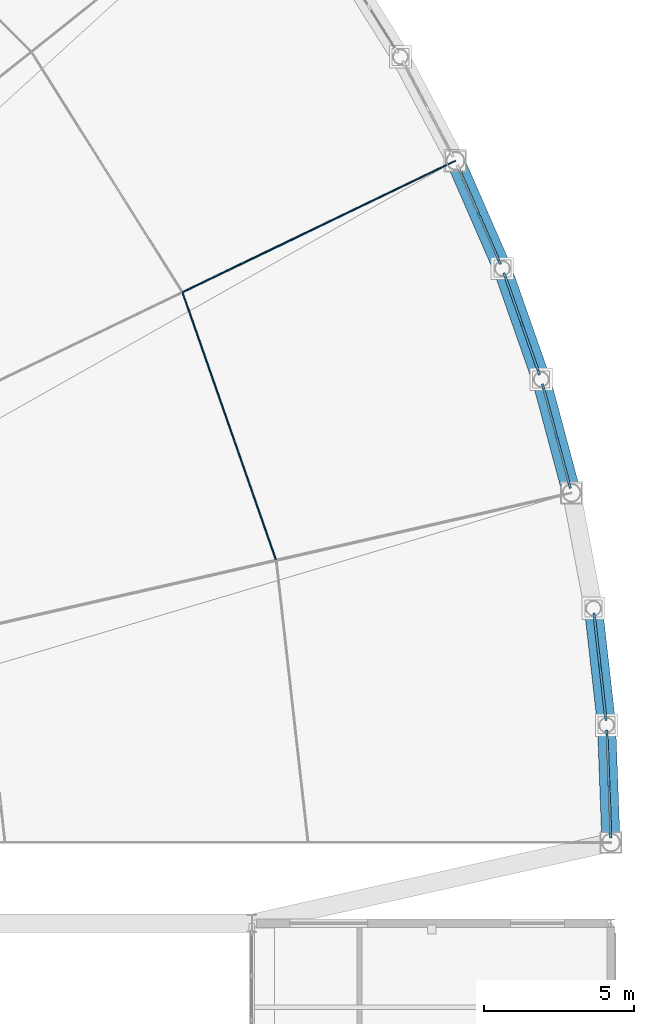
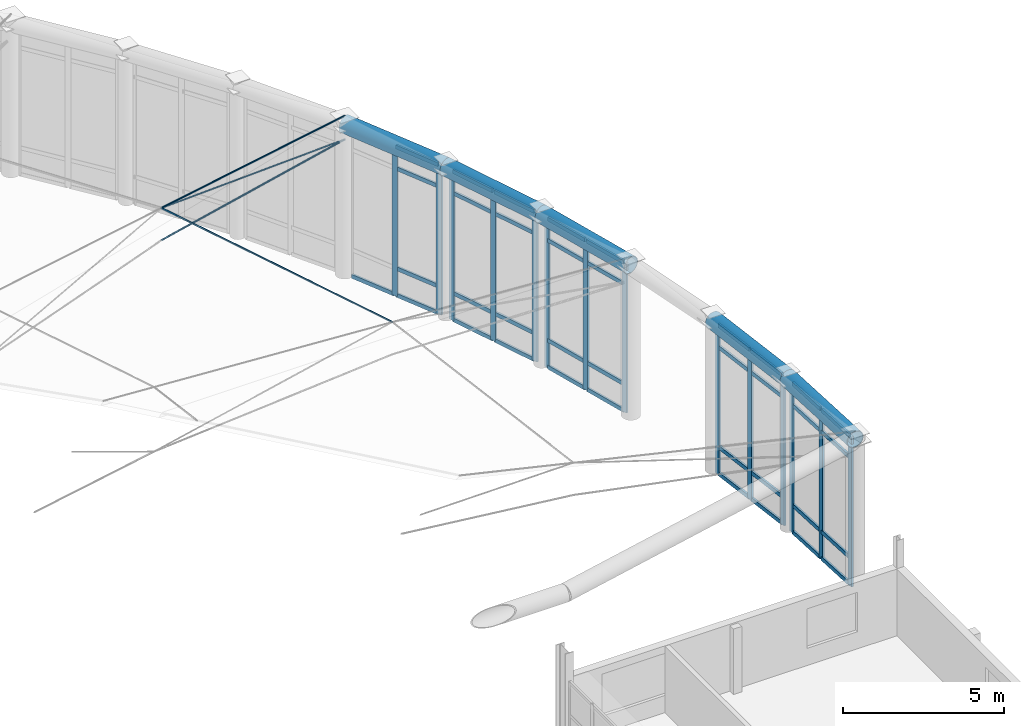
# One storey, part 57 of 101: 55 members, 5 beams, 5 elements without a shape of their own.
"""IFC4 building model written with IfcOpenShell, lengths in metres."""

import ifcopenshell
import ifcopenshell.guid

model = None  # the IFC model being written
_history = None  # IfcOwnerHistory: only IFC2X3 demands one
_inside = {}  # id of a spatial element -> (the spatial element, [elements in it])
_under = {}  # id of a project, library or spatial element -> (it, [spatial elements below it])
_declared = {}  # id of a project -> (the project, [libraries it declares])
_typed = {}  # id of a type object -> (the type object, [elements of that type])
_made_of = {}  # id of a material, layer set ... -> (it, [elements and type objects made of it])


def new_model(schema):
    """Start an empty IFC model of exactly this schema.

    Asked for "IFC4X3", IfcOpenShell would pick the latest addendum, in which some entities
    have other attributes; the version numbers below select the first issue.
    IFC2X3 requires an IfcOwnerHistory on every rooted entity: one is made here for all.
    """
    global model, _history
    if schema == "IFC4X3":
        model = ifcopenshell.file(schema_version=(4, 3, 0, 0))
    else:
        model = ifcopenshell.file(schema=schema)
    _inside.clear()
    _under.clear()
    _declared.clear()
    _typed.clear()
    _made_of.clear()
    _history = None
    if model.schema == "IFC2X3":
        org = make("IfcOrganization", Name="unknown")
        user = make(
            "IfcPersonAndOrganization",
            ThePerson=make("IfcPerson", FamilyName="unknown"),
            TheOrganization=org,
        )
        app = make(
            "IfcApplication",
            ApplicationDeveloper=org,
            Version="unknown",
            ApplicationFullName="unknown",
            ApplicationIdentifier="unknown",
        )
        _history = make(
            "IfcOwnerHistory",
            OwningUser=user,
            OwningApplication=app,
            ChangeAction="ADDED",
            CreationDate=0,
        )
    return model


def make(cls, **values):
    """One entity of the class cls with the attributes given. An attribute that is None is left unset."""
    return model.create_entity(
        cls, **{name: value for name, value in values.items() if value is not None}
    )


def rooted(cls, **values):
    """An entity with a GlobalId (a new one), such as an element, a storey or a relation."""
    return make(cls, GlobalId=ifcopenshell.guid.new(), OwnerHistory=_history, **values)


def si_unit(unit_type, name, prefix=None):
    """IfcSIUnit, for example si_unit("LENGTHUNIT", "METRE", prefix="MILLI")."""
    return make("IfcSIUnit", UnitType=unit_type, Prefix=prefix, Name=name)


def assignment(units):
    """IfcUnitAssignment: the units of a project."""
    return None if units is None else make("IfcUnitAssignment", Units=units)


def point(xyz):
    """IfcCartesianPoint."""
    return None if xyz is None else make("IfcCartesianPoint", Coordinates=xyz)


def direction(xyz):
    """IfcDirection."""
    return None if xyz is None else make("IfcDirection", DirectionRatios=xyz)


def frame(location, z_axis=None, x_axis=None):
    """IfcAxis2Placement3D, a coordinate frame: its origin and axes. An axis left out is left unset."""
    return make(
        "IfcAxis2Placement3D",
        Location=point(location),
        Axis=direction(z_axis),
        RefDirection=direction(x_axis),
    )


def frame_2d(location, x_axis=None):
    """IfcAxis2Placement2D, a coordinate frame in the plane: its origin and x axis."""
    return make(
        "IfcAxis2Placement2D", Location=point(location), RefDirection=direction(x_axis)
    )


def origin():
    """The frame at (0, 0, 0) with its axes left unset."""
    return frame((0.0, 0.0, 0.0))


def origin_2d():
    """The frame at (0, 0) in the plane with its x axis left unset."""
    return frame_2d((0.0, 0.0))


def place(relative_to, where):
    """IfcLocalPlacement: puts the frame where relative to a parent placement (None: the world)."""
    return make(
        "IfcLocalPlacement", PlacementRelTo=relative_to, RelativePlacement=where
    )


def context(
    kind, dimensions, precision=None, world=None, true_north=None, identifier=None
):
    """IfcGeometricRepresentationContext, for example the 3D "Model" context."""
    return make(
        "IfcGeometricRepresentationContext",
        ContextIdentifier=identifier,
        ContextType=kind,
        CoordinateSpaceDimension=dimensions,
        Precision=precision,
        WorldCoordinateSystem=world,
        TrueNorth=true_north,
    )


def subcontext(parent, identifier, kind, view, scale=None):
    """IfcGeometricRepresentationSubContext, for example "Body" below "Model"."""
    return make(
        "IfcGeometricRepresentationSubContext",
        ContextIdentifier=identifier,
        ContextType=kind,
        ParentContext=parent,
        TargetScale=scale,
        TargetView=view,
    )


def project(units=None, contexts=None):
    """IfcProject with its units and contexts."""
    return rooted(
        "IfcProject",
        Name="project",
        RepresentationContexts=contexts,
        UnitsInContext=assignment(units),
    )


def spatial(cls, under=None, at=None, **own):
    """A site, building, storey or space (cls), placed at a placement, below another one or the project."""
    s = rooted(cls, ObjectPlacement=at, **own)
    if under is not None:
        _under.setdefault(under.id(), (under, []))[1].append(s)
    return s


def profile(cls, at=None, kind="AREA", **sizes):
    """A parametric profile (cls). Its sizes go by their IFC names, for example OverallWidth=200.0."""
    return make(cls, ProfileType=kind, Position=at, **sizes)


def rectangle(**sizes):
    """IfcRectangleProfileDef."""
    return profile("IfcRectangleProfileDef", **sizes)


def circle(**sizes):
    """IfcCircleProfileDef."""
    return profile("IfcCircleProfileDef", **sizes)


def hollow_circle(**sizes):
    """IfcCircleHollowProfileDef."""
    return profile("IfcCircleHollowProfileDef", **sizes)


def extrude(swept, where, along, depth):
    """IfcExtrudedAreaSolid: the profile swept, set in the frame where, extruded along a direction by depth."""
    return make(
        "IfcExtrudedAreaSolid",
        SweptArea=swept,
        Position=where,
        ExtrudedDirection=direction(along),
        Depth=depth,
    )


def shape(context_of_items, identifier, shape_type, items):
    """IfcShapeRepresentation: the items that make up one representation, for example the "Body"."""
    return make(
        "IfcShapeRepresentation",
        ContextOfItems=context_of_items,
        RepresentationIdentifier=identifier,
        RepresentationType=shape_type,
        Items=items,
    )


def material(Name=None, Category=None):
    """IfcMaterial."""
    return make("IfcMaterial", Name=Name, Category=Category)


def layer(
    of_material, thickness, ventilated=None, Name=None, Category=None, Priority=None
):
    """IfcMaterialLayer: one layer of a wall or slab, of a material (None: an air gap)."""
    return make(
        "IfcMaterialLayer",
        Material=of_material,
        LayerThickness=thickness,
        IsVentilated=ventilated,
        Name=Name,
        Category=Category,
        Priority=Priority,
    )


def layer_set(layers, Name=None):
    """IfcMaterialLayerSet."""
    return make("IfcMaterialLayerSet", MaterialLayers=layers, LayerSetName=Name)


def material_profile(
    of_material, cross_section, Name=None, Category=None, Priority=None
):
    """IfcMaterialProfile: a cross section and its material."""
    return make(
        "IfcMaterialProfile",
        Name=Name,
        Material=of_material,
        Profile=cross_section,
        Priority=Priority,
        Category=Category,
    )


def profile_set(profiles, Name=None, composite=None):
    """IfcMaterialProfileSet."""
    return make(
        "IfcMaterialProfileSet",
        Name=Name,
        MaterialProfiles=profiles,
        CompositeProfile=composite,
    )


def made_of(thing, what):
    """Note that an element or type object is made of a material, layer set ...; save() writes the relation."""
    if what is not None:
        _made_of.setdefault(what.id(), (what, []))[1].append(thing)
    return thing


def type_object(cls, material=None, **own):
    """A type object (cls), such as IfcWallType, which elements share."""
    return made_of(rooted(cls, **own), material)


def element(
    cls,
    number,
    at=None,
    inside=None,
    cuts=None,
    type_object=None,
    material=None,
    context=None,
    identifier="Body",
    shape_type=None,
    held_by="IfcProductDefinitionShape",
    body=None,
    shapes=None,
    **own,
):
    """One element of the class cls, such as IfcWall. Its Tag is "e" and its number.

    at: its placement. inside: the storey or other place that contains it. cuts: it is an
    opening in that element (IfcRelVoidsElement). A single representation is given by context,
    identifier, shape_type and body (its items); several are given by shapes. held_by: the class
    of the entity that holds the representations. save() writes the other relations.
    """
    e = rooted(cls, Tag="e%d" % number, ObjectPlacement=at, **own)
    if body is not None:
        shapes = [shape(context, identifier, shape_type, body)]
    if shapes is not None:
        e.Representation = make(held_by, Representations=shapes)
    if inside is not None:
        _inside.setdefault(inside.id(), (inside, []))[1].append(e)
    if cuts is not None:
        rooted(
            "IfcRelVoidsElement", RelatingBuildingElement=cuts, RelatedOpeningElement=e
        )
    if type_object is not None:
        _typed.setdefault(type_object.id(), (type_object, []))[1].append(e)
    return made_of(e, material)


def aggregate(whole, parts):
    """IfcRelAggregates: a whole, such as a stair, and the parts it consists of."""
    return rooted("IfcRelAggregates", RelatingObject=whole, RelatedObjects=parts)


def save(model, path):
    """Write the relations noted so far, then the file.

    IfcRelAggregates (storeys below a building ...), IfcRelContainedInSpatialStructure (elements
    in a storey), IfcRelDefinesByType, IfcRelAssociatesMaterial and IfcRelDeclares: one each for
    every whole, place, type object, material and project.
    """
    for whole, parts in _under.values():
        aggregate(whole, parts)
    for where, things in _inside.values():
        rooted(
            "IfcRelContainedInSpatialStructure",
            RelatedElements=things,
            RelatingStructure=where,
        )
    for kind, things in _typed.values():
        rooted("IfcRelDefinesByType", RelatedObjects=things, RelatingType=kind)
    for what, things in _made_of.values():
        rooted("IfcRelAssociatesMaterial", RelatedObjects=things, RelatingMaterial=what)
    for by, libraries in _declared.values():
        rooted("IfcRelDeclares", RelatingContext=by, RelatedDefinitions=libraries)
    model.write(path)


model = new_model("IFC4")

# Units and contexts
model_context = context("Model", 3, precision=1e-05, world=origin(), true_north=direction((0.0, 1.0)))
body_context = subcontext(model_context, "Body", "Model", "MODEL_VIEW")
ifc_project = project(units=[si_unit("LENGTHUNIT", "METRE"), si_unit("AREAUNIT", "SQUARE_METRE"), si_unit("VOLUMEUNIT", "CUBIC_METRE"), si_unit("PLANEANGLEUNIT", "RADIAN"), si_unit("MASSUNIT", "GRAM", prefix="KILO"), si_unit("THERMODYNAMICTEMPERATUREUNIT", "KELVIN"), si_unit("POWERUNIT", "WATT")], contexts=[model_context])

# Site, building, storey
site_placement = place(None, origin())
site = spatial("IfcSite", under=ifc_project, at=site_placement, CompositionType="ELEMENT")
building_placement = place(site_placement, origin())
building = spatial("IfcBuilding", under=site, at=building_placement, Name="Tembeka Court Mobility Hub", CompositionType="ELEMENT")
storey_placement = place(building_placement, frame((0.0, 0.0, 5.39990234375)))
storey = spatial("IfcBuildingStorey", under=building, at=storey_placement, Name="L01", CompositionType="ELEMENT", Elevation=5.39990234375)

# Beams
ifc_material_1 = material(Name="Steel S355", Category="steel")
ifc_material_profile_1 = material_profile(ifc_material_1, hollow_circle(Radius=0.304931640625, WallThickness=0.02001953125, at=origin_2d()), Name="CHS 610x20")
ifc_profile_set_1 = profile_set([ifc_material_profile_1], Name="Steel S355")
beam_type = type_object("IfcBeamType", Name="BM-RB01", PredefinedType="BEAM", material=ifc_profile_set_1)
for number, where, z_axis, x_axis, name in (
    (1, (176.39990234375, 66.300048828125, 5.695068359375), (-0.037372752843, 0.999301394648, 0.0), (-0.999301394648, -0.037372752843, 0.0), "Concourse compression ring beam RB01-01"),
    (2, (176.253173828125, 70.223388671875, 5.695068359375), (-0.111932939479, 0.993715762711, 0.0), (-0.993715762711, -0.111932939479, 0.0), "Concourse compression ring beam RB01-02"),
    (3, (175.083740234375, 77.982421875, 5.695068359375), (-0.258815865265, 0.965926678318, 0.0), (-0.965926678318, -0.258815865265, 0.0), "Concourse compression ring beam RB01-04"),
    (4, (174.067626953125, 81.774658203125, 5.695068359375), (-0.330259016911, 0.943890344134, 0.0), (-0.943890344134, -0.330259016911, 0.0), "Concourse compression ring beam RB01-05"),
    (5, (172.77099609375, 85.48046875, 5.695068359375), (-0.39991501224, 0.916552226, 0.0), (-0.916552226, -0.39991501224, 0.0), "Concourse compression ring beam RB01-06"),
):
    element("IfcBeam", number, at=place(storey_placement, frame(where, z_axis=z_axis, x_axis=x_axis)), inside=storey, type_object=beam_type, Name=name, PredefinedType="BEAM", context=body_context, shape_type="SweptSolid", body=[
        extrude(hollow_circle(Radius=0.304931640625, WallThickness=0.02001953125, at=origin_2d()), origin(), (0.0, 0.0, 1.0), 3.926025390625),
    ])

# Curtain wall, members
ifc_material_2 = material(Name="Anodised aluminium 6063-T6", Category="aluminium")
ifc_layer = layer(ifc_material_2, 0.199951171875)
ifc_layer_set = layer_set([ifc_layer], Name="Anodised aluminium 6063-T6")
curtain_wall_type = type_object("IfcCurtainWallType", Name="CW-SYS25", PredefinedType="USERDEFINED", material=ifc_layer_set)
curtain_wall_1_placement = place(storey_placement, origin())
curtain_wall_1 = element("IfcCurtainWall", 6, at=curtain_wall_1_placement, inside=storey, type_object=curtain_wall_type, Name="Unitised curtain wall CW25 (CW-L01-046)", ObjectType="UNITISED GLAZING", PredefinedType="USERDEFINED")
ifc_material_profile_2 = material_profile(ifc_material_2, rectangle(XDim=0.074951171875, YDim=0.199951171875, at=origin_2d()), Name="ALU-MUL 75x200")
ifc_profile_set_2 = profile_set([ifc_material_profile_2], Name="Anodised aluminium 6063-T6")
member_type_1 = type_object("IfcMemberType", Name="CW-MUL02", PredefinedType="MULLION", material=ifc_profile_set_2)
member_1_placement = place(storey_placement, frame((176.390380859375, 66.557373046875, 0.0), z_axis=(0.0, 0.0, 1.0), x_axis=(-0.999300177968, -0.037405271186, 0.0)))
member_1 = element("IfcMember", 7, at=member_1_placement, type_object=member_type_1, Name="CW25 mullion 1", PredefinedType="MULLION", context=body_context, shape_type="SweptSolid", body=[
    extrude(rectangle(XDim=0.074951171875, YDim=0.199951171875, at=origin_2d()), origin(), (0.0, 0.0, 1.0), 5.7001953125),
])
member_2_placement = place(storey_placement, frame((176.32666015625, 68.26171875, 0.0), z_axis=(0.0, 0.0, 1.0), x_axis=(-0.999300177968, -0.037405271186, 0.0)))
member_2 = element("IfcMember", 8, at=member_2_placement, type_object=member_type_1, Name="CW25 mullion 2", PredefinedType="MULLION", context=body_context, shape_type="SweptSolid", body=[
    extrude(rectangle(XDim=0.074951171875, YDim=0.199951171875, at=origin_2d()), origin(), (0.0, 0.0, 1.0), 5.7001953125),
])
member_3_placement = place(storey_placement, frame((176.2626953125, 69.966064453125, 0.0), z_axis=(0.0, 0.0, 1.0), x_axis=(-0.999300177968, -0.037405271186, 0.0)))
member_3 = element("IfcMember", 9, at=member_3_placement, type_object=member_type_1, Name="CW25 mullion 3", PredefinedType="MULLION", context=body_context, shape_type="SweptSolid", body=[
    extrude(rectangle(XDim=0.074951171875, YDim=0.199951171875, at=origin_2d()), origin(), (0.0, 0.0, 1.0), 5.7001953125),
])

curtain_wall_2_placement = place(storey_placement, origin())
curtain_wall_2 = element("IfcCurtainWall", 10, at=curtain_wall_2_placement, inside=storey, type_object=curtain_wall_type, Name="Unitised curtain wall CW25 (CW-L01-048)", ObjectType="UNITISED GLAZING", PredefinedType="USERDEFINED")
member_4_placement = place(storey_placement, frame((176.224365234375, 70.479248046875, 0.0), z_axis=(0.0, 0.0, 1.0), x_axis=(-0.993709707443, -0.111986683735, 0.0)))
member_4 = element("IfcMember", 11, at=member_4_placement, type_object=member_type_1, Name="CW25 mullion 1", PredefinedType="MULLION", context=body_context, shape_type="SweptSolid", body=[
    extrude(rectangle(XDim=0.074951171875, YDim=0.199951171875, at=origin_2d()), origin(), (0.0, 0.0, 1.0), 5.7001953125),
])
member_5_placement = place(storey_placement, frame((176.033447265625, 72.174072265625, 0.0), z_axis=(0.0, 0.0, 1.0), x_axis=(-0.993709707443, -0.111986683735, 0.0)))
member_5 = element("IfcMember", 12, at=member_5_placement, type_object=member_type_1, Name="CW25 mullion 2", PredefinedType="MULLION", context=body_context, shape_type="SweptSolid", body=[
    extrude(rectangle(XDim=0.074951171875, YDim=0.199951171875, at=origin_2d()), origin(), (0.0, 0.0, 1.0), 5.7001953125),
])
member_6_placement = place(storey_placement, frame((175.84228515625, 73.868896484375, 0.0), z_axis=(0.0, 0.0, 1.0), x_axis=(-0.993709707443, -0.111986683735, 0.0)))
member_6 = element("IfcMember", 13, at=member_6_placement, type_object=member_type_1, Name="CW25 mullion 3", PredefinedType="MULLION", context=body_context, shape_type="SweptSolid", body=[
    extrude(rectangle(XDim=0.074951171875, YDim=0.199951171875, at=origin_2d()), origin(), (0.0, 0.0, 1.0), 5.7001953125),
])

curtain_wall_3_placement = place(storey_placement, origin())
curtain_wall_3 = element("IfcCurtainWall", 14, at=curtain_wall_3_placement, inside=storey, type_object=curtain_wall_type, Name="Unitised curtain wall CW25 (CW-L01-050)", ObjectType="UNITISED GLAZING", PredefinedType="USERDEFINED")
member_7_placement = place(storey_placement, frame((175.01708984375, 78.23095703125, 0.0), z_axis=(0.0, 0.0, 1.0), x_axis=(-0.96592333891, -0.258828327951, 0.0)))
member_7 = element("IfcMember", 15, at=member_7_placement, type_object=member_type_1, Name="CW25 mullion 1", PredefinedType="MULLION", context=body_context, shape_type="SweptSolid", body=[
    extrude(rectangle(XDim=0.074951171875, YDim=0.199951171875, at=origin_2d()), origin(), (0.0, 0.0, 1.0), 5.7001953125),
])
member_8_placement = place(storey_placement, frame((174.57568359375, 79.87841796875, 0.0), z_axis=(0.0, 0.0, 1.0), x_axis=(-0.96592333891, -0.258828327951, 0.0)))
member_8 = element("IfcMember", 16, at=member_8_placement, type_object=member_type_1, Name="CW25 mullion 2", PredefinedType="MULLION", context=body_context, shape_type="SweptSolid", body=[
    extrude(rectangle(XDim=0.074951171875, YDim=0.199951171875, at=origin_2d()), origin(), (0.0, 0.0, 1.0), 5.7001953125),
])
member_9_placement = place(storey_placement, frame((174.13427734375, 81.52587890625, 0.0), z_axis=(0.0, 0.0, 1.0), x_axis=(-0.96592333891, -0.258828327951, 0.0)))
member_9 = element("IfcMember", 17, at=member_9_placement, type_object=member_type_1, Name="CW25 mullion 3", PredefinedType="MULLION", context=body_context, shape_type="SweptSolid", body=[
    extrude(rectangle(XDim=0.074951171875, YDim=0.199951171875, at=origin_2d()), origin(), (0.0, 0.0, 1.0), 5.7001953125),
])

curtain_wall_4_placement = place(storey_placement, origin())
curtain_wall_4 = element("IfcCurtainWall", 18, at=curtain_wall_4_placement, inside=storey, type_object=curtain_wall_type, Name="Unitised curtain wall CW25 (CW-L01-052)", ObjectType="UNITISED GLAZING", PredefinedType="USERDEFINED")
member_10_placement = place(storey_placement, frame((173.982421875, 82.017578125, 0.0), z_axis=(0.0, 0.0, 1.0), x_axis=(-0.943888763508, -0.330263534352, 0.0)))
member_10 = element("IfcMember", 19, at=member_10_placement, type_object=member_type_1, Name="CW25 mullion 1", PredefinedType="MULLION", context=body_context, shape_type="SweptSolid", body=[
    extrude(rectangle(XDim=0.074951171875, YDim=0.199951171875, at=origin_2d()), origin(), (0.0, 0.0, 1.0), 5.7001953125),
])
member_11_placement = place(storey_placement, frame((173.419189453125, 83.62744140625, 0.0), z_axis=(0.0, 0.0, 1.0), x_axis=(-0.943888763508, -0.330263534352, 0.0)))
member_11 = element("IfcMember", 20, at=member_11_placement, type_object=member_type_1, Name="CW25 mullion 2", PredefinedType="MULLION", context=body_context, shape_type="SweptSolid", body=[
    extrude(rectangle(XDim=0.074951171875, YDim=0.199951171875, at=origin_2d()), origin(), (0.0, 0.0, 1.0), 5.7001953125),
])
member_12_placement = place(storey_placement, frame((172.85595703125, 85.2373046875, 0.0), z_axis=(0.0, 0.0, 1.0), x_axis=(-0.943888763508, -0.330263534352, 0.0)))
member_12 = element("IfcMember", 21, at=member_12_placement, type_object=member_type_1, Name="CW25 mullion 3", PredefinedType="MULLION", context=body_context, shape_type="SweptSolid", body=[
    extrude(rectangle(XDim=0.074951171875, YDim=0.199951171875, at=origin_2d()), origin(), (0.0, 0.0, 1.0), 5.7001953125),
])

curtain_wall_5_placement = place(storey_placement, origin())
curtain_wall_5 = element("IfcCurtainWall", 22, at=curtain_wall_5_placement, inside=storey, type_object=curtain_wall_type, Name="Unitised curtain wall CW25 (CW-L01-054)", ObjectType="UNITISED GLAZING", PredefinedType="USERDEFINED")
member_13_placement = place(storey_placement, frame((172.66796875, 85.71630859375, 0.0), z_axis=(0.0, 0.0, 1.0), x_axis=(-0.916572258286, -0.399869097757, 0.0)))
member_13 = element("IfcMember", 23, at=member_13_placement, type_object=member_type_1, Name="CW25 mullion 1", PredefinedType="MULLION", context=body_context, shape_type="SweptSolid", body=[
    extrude(rectangle(XDim=0.074951171875, YDim=0.199951171875, at=origin_2d()), origin(), (0.0, 0.0, 1.0), 5.7001953125),
])
member_14_placement = place(storey_placement, frame((171.98583984375, 87.279541015625, 0.0), z_axis=(0.0, 0.0, 1.0), x_axis=(-0.916572258286, -0.399869097757, 0.0)))
member_14 = element("IfcMember", 24, at=member_14_placement, type_object=member_type_1, Name="CW25 mullion 2", PredefinedType="MULLION", context=body_context, shape_type="SweptSolid", body=[
    extrude(rectangle(XDim=0.074951171875, YDim=0.199951171875, at=origin_2d()), origin(), (0.0, 0.0, 1.0), 5.7001953125),
])

# Member
ifc_material_profile_3 = material_profile(ifc_material_2, rectangle(XDim=0.074951171875, YDim=0.14990234375, at=origin_2d()), Name="ALU-TRN 75x150")
ifc_profile_set_3 = profile_set([ifc_material_profile_3], Name="Anodised aluminium 6063-T6")
member_type_2 = type_object("IfcMemberType", Name="CW-TRN02", PredefinedType="USERDEFINED", material=ifc_profile_set_3)
member_15_placement = place(storey_placement, frame((176.388916015625, 66.5947265625, 0.03759765625), z_axis=(-0.037432542583, 0.999299156787, 0.0), x_axis=(-0.999299156787, -0.037432542583, 0.0)))
member_15 = element("IfcMember", 25, at=member_15_placement, type_object=member_type_2, Name="CW25 transom 1.1", ObjectType="TRANSOM", PredefinedType="USERDEFINED", context=body_context, shape_type="SweptSolid", body=[
    extrude(rectangle(XDim=0.074951171875, YDim=0.14990234375, at=origin_2d()), origin(), (0.0, 0.0, 1.0), 1.630615234375),
])

member_16_placement = place(storey_placement, frame((176.388916015625, 66.5947265625, 1.050048828125), z_axis=(-0.037432542583, 0.999299156787, 0.0), x_axis=(-0.999299156787, -0.037432542583, 0.0)))
member_16 = element("IfcMember", 26, at=member_16_placement, type_object=member_type_2, Name="CW25 transom 1.2", ObjectType="TRANSOM", PredefinedType="USERDEFINED", context=body_context, shape_type="SweptSolid", body=[
    extrude(rectangle(XDim=0.074951171875, YDim=0.14990234375, at=origin_2d()), origin(), (0.0, 0.0, 1.0), 1.630615234375),
])

member_17_placement = place(storey_placement, frame((176.388916015625, 66.5947265625, 4.85009765625), z_axis=(-0.037432542583, 0.999299156787, 0.0), x_axis=(-0.999299156787, -0.037432542583, 0.0)))
member_17 = element("IfcMember", 27, at=member_17_placement, type_object=member_type_2, Name="CW25 transom 1.3", ObjectType="TRANSOM", PredefinedType="USERDEFINED", context=body_context, shape_type="SweptSolid", body=[
    extrude(rectangle(XDim=0.074951171875, YDim=0.14990234375, at=origin_2d()), origin(), (0.0, 0.0, 1.0), 1.630615234375),
])

member_18_placement = place(storey_placement, frame((176.388916015625, 66.5947265625, 5.66259765625), z_axis=(-0.037432542583, 0.999299156787, 0.0), x_axis=(-0.999299156787, -0.037432542583, 0.0)))
member_18 = element("IfcMember", 28, at=member_18_placement, type_object=member_type_2, Name="CW25 transom 1.4", ObjectType="TRANSOM", PredefinedType="USERDEFINED", context=body_context, shape_type="SweptSolid", body=[
    extrude(rectangle(XDim=0.074951171875, YDim=0.14990234375, at=origin_2d()), origin(), (0.0, 0.0, 1.0), 1.630615234375),
])

member_19_placement = place(storey_placement, frame((176.3251953125, 68.299072265625, 0.03759765625), z_axis=(-0.037432542583, 0.999299156787, 0.0), x_axis=(-0.999299156787, -0.037432542583, 0.0)))
member_19 = element("IfcMember", 29, at=member_19_placement, type_object=member_type_2, Name="CW25 transom 2.1", ObjectType="TRANSOM", PredefinedType="USERDEFINED", context=body_context, shape_type="SweptSolid", body=[
    extrude(rectangle(XDim=0.074951171875, YDim=0.14990234375, at=origin_2d()), origin(), (0.0, 0.0, 1.0), 1.630615234375),
])

member_20_placement = place(storey_placement, frame((176.3251953125, 68.299072265625, 1.050048828125), z_axis=(-0.037432542583, 0.999299156787, 0.0), x_axis=(-0.999299156787, -0.037432542583, 0.0)))
member_20 = element("IfcMember", 30, at=member_20_placement, type_object=member_type_2, Name="CW25 transom 2.2", ObjectType="TRANSOM", PredefinedType="USERDEFINED", context=body_context, shape_type="SweptSolid", body=[
    extrude(rectangle(XDim=0.074951171875, YDim=0.14990234375, at=origin_2d()), origin(), (0.0, 0.0, 1.0), 1.630615234375),
])

member_21_placement = place(storey_placement, frame((176.3251953125, 68.299072265625, 4.85009765625), z_axis=(-0.037432542583, 0.999299156787, 0.0), x_axis=(-0.999299156787, -0.037432542583, 0.0)))
member_21 = element("IfcMember", 31, at=member_21_placement, type_object=member_type_2, Name="CW25 transom 2.3", ObjectType="TRANSOM", PredefinedType="USERDEFINED", context=body_context, shape_type="SweptSolid", body=[
    extrude(rectangle(XDim=0.074951171875, YDim=0.14990234375, at=origin_2d()), origin(), (0.0, 0.0, 1.0), 1.630615234375),
])

member_22_placement = place(storey_placement, frame((176.3251953125, 68.299072265625, 5.66259765625), z_axis=(-0.037432542583, 0.999299156787, 0.0), x_axis=(-0.999299156787, -0.037432542583, 0.0)))
member_22 = element("IfcMember", 32, at=member_22_placement, type_object=member_type_2, Name="CW25 transom 2.4", ObjectType="TRANSOM", PredefinedType="USERDEFINED", context=body_context, shape_type="SweptSolid", body=[
    extrude(rectangle(XDim=0.074951171875, YDim=0.14990234375, at=origin_2d()), origin(), (0.0, 0.0, 1.0), 1.630615234375),
])

aggregate(curtain_wall_1, [member_1, member_2, member_3, member_15, member_16, member_17, member_18, member_19, member_20, member_21, member_22])

member_23_placement = place(storey_placement, frame((176.22021484375, 70.516357421875, 0.03759765625), z_axis=(-0.111992522074, 0.99370904947, 0.0), x_axis=(-0.99370904947, -0.111992522074, 0.0)))
member_23 = element("IfcMember", 33, at=member_23_placement, type_object=member_type_2, Name="CW25 transom 1.1", ObjectType="TRANSOM", PredefinedType="USERDEFINED", context=body_context, shape_type="SweptSolid", body=[
    extrude(rectangle(XDim=0.074951171875, YDim=0.14990234375, at=origin_2d()), origin(), (0.0, 0.0, 1.0), 1.630615234375),
])

member_24_placement = place(storey_placement, frame((176.22021484375, 70.516357421875, 1.050048828125), z_axis=(-0.111992522074, 0.99370904947, 0.0), x_axis=(-0.99370904947, -0.111992522074, 0.0)))
member_24 = element("IfcMember", 34, at=member_24_placement, type_object=member_type_2, Name="CW25 transom 1.2", ObjectType="TRANSOM", PredefinedType="USERDEFINED", context=body_context, shape_type="SweptSolid", body=[
    extrude(rectangle(XDim=0.074951171875, YDim=0.14990234375, at=origin_2d()), origin(), (0.0, 0.0, 1.0), 1.630615234375),
])

member_25_placement = place(storey_placement, frame((176.22021484375, 70.516357421875, 4.85009765625), z_axis=(-0.111992522074, 0.99370904947, 0.0), x_axis=(-0.99370904947, -0.111992522074, 0.0)))
member_25 = element("IfcMember", 35, at=member_25_placement, type_object=member_type_2, Name="CW25 transom 1.3", ObjectType="TRANSOM", PredefinedType="USERDEFINED", context=body_context, shape_type="SweptSolid", body=[
    extrude(rectangle(XDim=0.074951171875, YDim=0.14990234375, at=origin_2d()), origin(), (0.0, 0.0, 1.0), 1.630615234375),
])

member_26_placement = place(storey_placement, frame((176.22021484375, 70.516357421875, 5.66259765625), z_axis=(-0.111992522074, 0.99370904947, 0.0), x_axis=(-0.99370904947, -0.111992522074, 0.0)))
member_26 = element("IfcMember", 36, at=member_26_placement, type_object=member_type_2, Name="CW25 transom 1.4", ObjectType="TRANSOM", PredefinedType="USERDEFINED", context=body_context, shape_type="SweptSolid", body=[
    extrude(rectangle(XDim=0.074951171875, YDim=0.14990234375, at=origin_2d()), origin(), (0.0, 0.0, 1.0), 1.630615234375),
])

member_27_placement = place(storey_placement, frame((176.029296875, 72.211181640625, 0.03759765625), z_axis=(-0.111992522074, 0.99370904947, 0.0), x_axis=(-0.99370904947, -0.111992522074, 0.0)))
member_27 = element("IfcMember", 37, at=member_27_placement, type_object=member_type_2, Name="CW25 transom 2.1", ObjectType="TRANSOM", PredefinedType="USERDEFINED", context=body_context, shape_type="SweptSolid", body=[
    extrude(rectangle(XDim=0.074951171875, YDim=0.14990234375, at=origin_2d()), origin(), (0.0, 0.0, 1.0), 1.630615234375),
])

member_28_placement = place(storey_placement, frame((176.029296875, 72.211181640625, 1.050048828125), z_axis=(-0.111992522074, 0.99370904947, 0.0), x_axis=(-0.99370904947, -0.111992522074, 0.0)))
member_28 = element("IfcMember", 38, at=member_28_placement, type_object=member_type_2, Name="CW25 transom 2.2", ObjectType="TRANSOM", PredefinedType="USERDEFINED", context=body_context, shape_type="SweptSolid", body=[
    extrude(rectangle(XDim=0.074951171875, YDim=0.14990234375, at=origin_2d()), origin(), (0.0, 0.0, 1.0), 1.630615234375),
])

member_29_placement = place(storey_placement, frame((176.029296875, 72.211181640625, 4.85009765625), z_axis=(-0.111992522074, 0.99370904947, 0.0), x_axis=(-0.99370904947, -0.111992522074, 0.0)))
member_29 = element("IfcMember", 39, at=member_29_placement, type_object=member_type_2, Name="CW25 transom 2.3", ObjectType="TRANSOM", PredefinedType="USERDEFINED", context=body_context, shape_type="SweptSolid", body=[
    extrude(rectangle(XDim=0.074951171875, YDim=0.14990234375, at=origin_2d()), origin(), (0.0, 0.0, 1.0), 1.630615234375),
])

member_30_placement = place(storey_placement, frame((176.029296875, 72.211181640625, 5.66259765625), z_axis=(-0.111992522074, 0.99370904947, 0.0), x_axis=(-0.99370904947, -0.111992522074, 0.0)))
member_30 = element("IfcMember", 40, at=member_30_placement, type_object=member_type_2, Name="CW25 transom 2.4", ObjectType="TRANSOM", PredefinedType="USERDEFINED", context=body_context, shape_type="SweptSolid", body=[
    extrude(rectangle(XDim=0.074951171875, YDim=0.14990234375, at=origin_2d()), origin(), (0.0, 0.0, 1.0), 1.630615234375),
])

aggregate(curtain_wall_2, [member_4, member_5, member_6, member_23, member_24, member_25, member_26, member_27, member_28, member_29, member_30])

member_31_placement = place(storey_placement, frame((175.00732421875, 78.267333984375, 0.03759765625), z_axis=(-0.258743569782, 0.96594604668, 0.0), x_axis=(-0.96594604668, -0.258743569782, 0.0)))
member_31 = element("IfcMember", 41, at=member_31_placement, type_object=member_type_2, Name="CW25 transom 1.1", ObjectType="TRANSOM", PredefinedType="USERDEFINED", context=body_context, shape_type="SweptSolid", body=[
    extrude(rectangle(XDim=0.074951171875, YDim=0.14990234375, at=origin_2d()), origin(), (0.0, 0.0, 1.0), 1.63037109375),
])

member_32_placement = place(storey_placement, frame((175.00732421875, 78.267333984375, 1.050048828125), z_axis=(-0.258743569782, 0.96594604668, 0.0), x_axis=(-0.96594604668, -0.258743569782, 0.0)))
member_32 = element("IfcMember", 42, at=member_32_placement, type_object=member_type_2, Name="CW25 transom 1.2", ObjectType="TRANSOM", PredefinedType="USERDEFINED", context=body_context, shape_type="SweptSolid", body=[
    extrude(rectangle(XDim=0.074951171875, YDim=0.14990234375, at=origin_2d()), origin(), (0.0, 0.0, 1.0), 1.63037109375),
])

member_33_placement = place(storey_placement, frame((175.00732421875, 78.267333984375, 4.85009765625), z_axis=(-0.258743569782, 0.96594604668, 0.0), x_axis=(-0.96594604668, -0.258743569782, 0.0)))
member_33 = element("IfcMember", 43, at=member_33_placement, type_object=member_type_2, Name="CW25 transom 1.3", ObjectType="TRANSOM", PredefinedType="USERDEFINED", context=body_context, shape_type="SweptSolid", body=[
    extrude(rectangle(XDim=0.074951171875, YDim=0.14990234375, at=origin_2d()), origin(), (0.0, 0.0, 1.0), 1.63037109375),
])

member_34_placement = place(storey_placement, frame((175.00732421875, 78.267333984375, 5.66259765625), z_axis=(-0.258743569782, 0.96594604668, 0.0), x_axis=(-0.96594604668, -0.258743569782, 0.0)))
member_34 = element("IfcMember", 44, at=member_34_placement, type_object=member_type_2, Name="CW25 transom 1.4", ObjectType="TRANSOM", PredefinedType="USERDEFINED", context=body_context, shape_type="SweptSolid", body=[
    extrude(rectangle(XDim=0.074951171875, YDim=0.14990234375, at=origin_2d()), origin(), (0.0, 0.0, 1.0), 1.63037109375),
])

member_35_placement = place(storey_placement, frame((174.56591796875, 79.91455078125, 0.03759765625), z_axis=(-0.258845837055, 0.965918647009, 0.0), x_axis=(-0.965918647009, -0.258845837055, 0.0)))
member_35 = element("IfcMember", 45, at=member_35_placement, type_object=member_type_2, Name="CW25 transom 2.1", ObjectType="TRANSOM", PredefinedType="USERDEFINED", context=body_context, shape_type="SweptSolid", body=[
    extrude(rectangle(XDim=0.074951171875, YDim=0.14990234375, at=origin_2d()), origin(), (0.0, 0.0, 1.0), 1.630859375),
])

member_36_placement = place(storey_placement, frame((174.56591796875, 79.91455078125, 1.050048828125), z_axis=(-0.258845837055, 0.965918647009, 0.0), x_axis=(-0.965918647009, -0.258845837055, 0.0)))
member_36 = element("IfcMember", 46, at=member_36_placement, type_object=member_type_2, Name="CW25 transom 2.2", ObjectType="TRANSOM", PredefinedType="USERDEFINED", context=body_context, shape_type="SweptSolid", body=[
    extrude(rectangle(XDim=0.074951171875, YDim=0.14990234375, at=origin_2d()), origin(), (0.0, 0.0, 1.0), 1.630859375),
])

member_37_placement = place(storey_placement, frame((174.56591796875, 79.91455078125, 4.85009765625), z_axis=(-0.258845837055, 0.965918647009, 0.0), x_axis=(-0.965918647009, -0.258845837055, 0.0)))
member_37 = element("IfcMember", 47, at=member_37_placement, type_object=member_type_2, Name="CW25 transom 2.3", ObjectType="TRANSOM", PredefinedType="USERDEFINED", context=body_context, shape_type="SweptSolid", body=[
    extrude(rectangle(XDim=0.074951171875, YDim=0.14990234375, at=origin_2d()), origin(), (0.0, 0.0, 1.0), 1.630859375),
])

member_38_placement = place(storey_placement, frame((174.56591796875, 79.91455078125, 5.66259765625), z_axis=(-0.258845837055, 0.965918647009, 0.0), x_axis=(-0.965918647009, -0.258845837055, 0.0)))
member_38 = element("IfcMember", 48, at=member_38_placement, type_object=member_type_2, Name="CW25 transom 2.4", ObjectType="TRANSOM", PredefinedType="USERDEFINED", context=body_context, shape_type="SweptSolid", body=[
    extrude(rectangle(XDim=0.074951171875, YDim=0.14990234375, at=origin_2d()), origin(), (0.0, 0.0, 1.0), 1.630859375),
])

aggregate(curtain_wall_3, [member_7, member_8, member_9, member_31, member_32, member_33, member_34, member_35, member_36, member_37, member_38])

member_39_placement = place(storey_placement, frame((173.97021484375, 82.052978515625, 0.03759765625), z_axis=(-0.330297069479, 0.94387702901, 0.0), x_axis=(-0.94387702901, -0.330297069479, 0.0)))
member_39 = element("IfcMember", 49, at=member_39_placement, type_object=member_type_2, Name="CW25 transom 1.1", ObjectType="TRANSOM", PredefinedType="USERDEFINED", context=body_context, shape_type="SweptSolid", body=[
    extrude(rectangle(XDim=0.074951171875, YDim=0.14990234375, at=origin_2d()), origin(), (0.0, 0.0, 1.0), 1.630615234375),
])

member_40_placement = place(storey_placement, frame((173.97021484375, 82.052978515625, 1.050048828125), z_axis=(-0.330297069479, 0.94387702901, 0.0), x_axis=(-0.94387702901, -0.330297069479, 0.0)))
member_40 = element("IfcMember", 50, at=member_40_placement, type_object=member_type_2, Name="CW25 transom 1.2", ObjectType="TRANSOM", PredefinedType="USERDEFINED", context=body_context, shape_type="SweptSolid", body=[
    extrude(rectangle(XDim=0.074951171875, YDim=0.14990234375, at=origin_2d()), origin(), (0.0, 0.0, 1.0), 1.630615234375),
])

member_41_placement = place(storey_placement, frame((173.97021484375, 82.052978515625, 4.85009765625), z_axis=(-0.330297069479, 0.94387702901, 0.0), x_axis=(-0.94387702901, -0.330297069479, 0.0)))
member_41 = element("IfcMember", 51, at=member_41_placement, type_object=member_type_2, Name="CW25 transom 1.3", ObjectType="TRANSOM", PredefinedType="USERDEFINED", context=body_context, shape_type="SweptSolid", body=[
    extrude(rectangle(XDim=0.074951171875, YDim=0.14990234375, at=origin_2d()), origin(), (0.0, 0.0, 1.0), 1.630615234375),
])

member_42_placement = place(storey_placement, frame((173.97021484375, 82.052978515625, 5.66259765625), z_axis=(-0.330297069479, 0.94387702901, 0.0), x_axis=(-0.94387702901, -0.330297069479, 0.0)))
member_42 = element("IfcMember", 52, at=member_42_placement, type_object=member_type_2, Name="CW25 transom 1.4", ObjectType="TRANSOM", PredefinedType="USERDEFINED", context=body_context, shape_type="SweptSolid", body=[
    extrude(rectangle(XDim=0.074951171875, YDim=0.14990234375, at=origin_2d()), origin(), (0.0, 0.0, 1.0), 1.630615234375),
])

member_43_placement = place(storey_placement, frame((173.406982421875, 83.662841796875, 0.03759765625), z_axis=(-0.330297069479, 0.94387702901, 0.0), x_axis=(-0.94387702901, -0.330297069479, 0.0)))
member_43 = element("IfcMember", 53, at=member_43_placement, type_object=member_type_2, Name="CW25 transom 2.1", ObjectType="TRANSOM", PredefinedType="USERDEFINED", context=body_context, shape_type="SweptSolid", body=[
    extrude(rectangle(XDim=0.074951171875, YDim=0.14990234375, at=origin_2d()), origin(), (0.0, 0.0, 1.0), 1.630615234375),
])

member_44_placement = place(storey_placement, frame((173.406982421875, 83.662841796875, 1.050048828125), z_axis=(-0.330297069479, 0.94387702901, 0.0), x_axis=(-0.94387702901, -0.330297069479, 0.0)))
member_44 = element("IfcMember", 54, at=member_44_placement, type_object=member_type_2, Name="CW25 transom 2.2", ObjectType="TRANSOM", PredefinedType="USERDEFINED", context=body_context, shape_type="SweptSolid", body=[
    extrude(rectangle(XDim=0.074951171875, YDim=0.14990234375, at=origin_2d()), origin(), (0.0, 0.0, 1.0), 1.630615234375),
])

member_45_placement = place(storey_placement, frame((173.406982421875, 83.662841796875, 4.85009765625), z_axis=(-0.330297069479, 0.94387702901, 0.0), x_axis=(-0.94387702901, -0.330297069479, 0.0)))
member_45 = element("IfcMember", 55, at=member_45_placement, type_object=member_type_2, Name="CW25 transom 2.3", ObjectType="TRANSOM", PredefinedType="USERDEFINED", context=body_context, shape_type="SweptSolid", body=[
    extrude(rectangle(XDim=0.074951171875, YDim=0.14990234375, at=origin_2d()), origin(), (0.0, 0.0, 1.0), 1.630615234375),
])

member_46_placement = place(storey_placement, frame((173.406982421875, 83.662841796875, 5.66259765625), z_axis=(-0.330297069479, 0.94387702901, 0.0), x_axis=(-0.94387702901, -0.330297069479, 0.0)))
member_46 = element("IfcMember", 56, at=member_46_placement, type_object=member_type_2, Name="CW25 transom 2.4", ObjectType="TRANSOM", PredefinedType="USERDEFINED", context=body_context, shape_type="SweptSolid", body=[
    extrude(rectangle(XDim=0.074951171875, YDim=0.14990234375, at=origin_2d()), origin(), (0.0, 0.0, 1.0), 1.630615234375),
])

aggregate(curtain_wall_4, [member_10, member_11, member_12, member_39, member_40, member_41, member_42, member_43, member_44, member_45, member_46])

member_47_placement = place(storey_placement, frame((172.65283203125, 85.750732421875, 0.03759765625), z_axis=(-0.399766075553, 0.916617196455, 0.0), x_axis=(-0.916617196455, -0.399766075553, 0.0)))
member_47 = element("IfcMember", 57, at=member_47_placement, type_object=member_type_2, Name="CW25 transom 1.1", ObjectType="TRANSOM", PredefinedType="USERDEFINED", context=body_context, shape_type="SweptSolid", body=[
    extrude(rectangle(XDim=0.074951171875, YDim=0.14990234375, at=origin_2d()), origin(), (0.0, 0.0, 1.0), 1.630615234375),
])

member_48_placement = place(storey_placement, frame((172.65283203125, 85.750732421875, 1.050048828125), z_axis=(-0.399766075553, 0.916617196455, 0.0), x_axis=(-0.916617196455, -0.399766075553, 0.0)))
member_48 = element("IfcMember", 58, at=member_48_placement, type_object=member_type_2, Name="CW25 transom 1.2", ObjectType="TRANSOM", PredefinedType="USERDEFINED", context=body_context, shape_type="SweptSolid", body=[
    extrude(rectangle(XDim=0.074951171875, YDim=0.14990234375, at=origin_2d()), origin(), (0.0, 0.0, 1.0), 1.630615234375),
])

member_49_placement = place(storey_placement, frame((172.65283203125, 85.750732421875, 4.85009765625), z_axis=(-0.399766075553, 0.916617196455, 0.0), x_axis=(-0.916617196455, -0.399766075553, 0.0)))
member_49 = element("IfcMember", 59, at=member_49_placement, type_object=member_type_2, Name="CW25 transom 1.3", ObjectType="TRANSOM", PredefinedType="USERDEFINED", context=body_context, shape_type="SweptSolid", body=[
    extrude(rectangle(XDim=0.074951171875, YDim=0.14990234375, at=origin_2d()), origin(), (0.0, 0.0, 1.0), 1.630615234375),
])

member_50_placement = place(storey_placement, frame((172.65283203125, 85.750732421875, 5.66259765625), z_axis=(-0.399766075553, 0.916617196455, 0.0), x_axis=(-0.916617196455, -0.399766075553, 0.0)))
member_50 = element("IfcMember", 60, at=member_50_placement, type_object=member_type_2, Name="CW25 transom 1.4", ObjectType="TRANSOM", PredefinedType="USERDEFINED", context=body_context, shape_type="SweptSolid", body=[
    extrude(rectangle(XDim=0.074951171875, YDim=0.14990234375, at=origin_2d()), origin(), (0.0, 0.0, 1.0), 1.630615234375),
])

member_51_placement = place(storey_placement, frame((171.970947265625, 87.31396484375, 0.03759765625), z_axis=(-0.399891861372, 0.916562326963, 0.0), x_axis=(-0.916562326963, -0.399891861372, 0.0)))
member_51 = element("IfcMember", 61, at=member_51_placement, type_object=member_type_2, Name="CW25 transom 2.1", ObjectType="TRANSOM", PredefinedType="USERDEFINED", context=body_context, shape_type="SweptSolid", body=[
    extrude(rectangle(XDim=0.074951171875, YDim=0.14990234375, at=origin_2d()), origin(), (0.0, 0.0, 1.0), 1.630615234375),
])

aggregate(curtain_wall_5, [member_13, member_14, member_47, member_48, member_49, member_50, member_51])

# Members
ifc_material_3 = material(Name="Steel S460", Category="steel")
ifc_material_profile_4 = material_profile(ifc_material_3, circle(Radius=0.031982421875, at=origin_2d()), Name="CABLE D64")
ifc_profile_set_4 = profile_set([ifc_material_profile_4], Name="Steel S460")
member_type_3 = type_object("IfcMemberType", Name="MEM-CB01", PredefinedType="USERDEFINED", material=ifc_profile_set_4)
member_52_placement = place(storey_placement, frame((162.07861328125, 84.685791015625, 8.35009765625), z_axis=(0.877638243854, 0.422647465808, -0.226097838494), x_axis=(-0.433883041686, 0.900969203767, 0.0)))
element("IfcMember", 62, at=member_52_placement, inside=storey, type_object=member_type_3, Name="Concourse radial ridge cable CB01-3-4", ObjectType="CABLE", PredefinedType="USERDEFINED", context=body_context, shape_type="SweptSolid", body=[
    extrude(circle(Radius=0.031982421875, at=origin_2d()), origin(), (0.0, 0.0, 1.0), 10.39404296875),
])
ifc_material_profile_5 = material_profile(ifc_material_3, circle(Radius=0.02392578125, at=origin_2d()), Name="CABLE D48")
ifc_profile_set_5 = profile_set([ifc_material_profile_5], Name="Steel S460")
member_type_4 = type_object("IfcMemberType", Name="MEM-CB02", PredefinedType="USERDEFINED", material=ifc_profile_set_5)
member_53_placement = place(storey_placement, frame((162.07861328125, 84.685791015625, 7.125), z_axis=(0.883474633967, 0.425458117586, -0.196107014964), x_axis=(-0.433883041686, 0.900969203767, 0.0)))
element("IfcMember", 63, at=member_53_placement, inside=storey, type_object=member_type_4, Name="Concourse radial valley cable CB02-3-4", ObjectType="CABLE", PredefinedType="USERDEFINED", context=body_context, shape_type="SweptSolid", body=[
    extrude(circle(Radius=0.02392578125, at=origin_2d()), origin(), (0.0, 0.0, 1.0), 10.325439453125),
])
member_54_placement = place(storey_placement, frame((165.21240234375, 75.729248046875, 8.35009765625), z_axis=(-0.330256446626, 0.94389124345, 0.0), x_axis=(-0.94389124345, -0.330256446626, 0.0)))
element("IfcMember", 64, at=member_54_placement, inside=storey, type_object=member_type_4, Name="Concourse circumferential hoop cable CB02-B2-3", ObjectType="CABLE", PredefinedType="USERDEFINED", context=body_context, shape_type="SweptSolid", body=[
    extrude(circle(Radius=0.02392578125, at=origin_2d()), origin(), (0.0, 0.0, 1.0), 9.489013671875),
])
ifc_material_profile_6 = material_profile(ifc_material_3, circle(Radius=0.01806640625, at=origin_2d()), Name="CABLE D36")
ifc_profile_set_6 = profile_set([ifc_material_profile_6], Name="Steel S460")
member_type_5 = type_object("IfcMemberType", Name="MEM-CB03", PredefinedType="USERDEFINED", material=ifc_profile_set_6)
member_55_placement = place(storey_placement, frame((162.07861328125, 84.685791015625, 8.35009765625), z_axis=(0.857858551202, 0.413122086721, -0.305628610561), x_axis=(-0.433883041686, 0.900969203767, 0.0)))
element("IfcMember", 65, at=member_55_placement, inside=storey, type_object=member_type_5, Name="Concourse Jawerth web cable CB03-3-4", ObjectType="CABLE", PredefinedType="USERDEFINED", context=body_context, shape_type="SweptSolid", body=[
    extrude(circle(Radius=0.01806640625, at=origin_2d()), origin(), (0.0, 0.0, 1.0), 10.6337890625),
])

save(model, "model.ifc")
